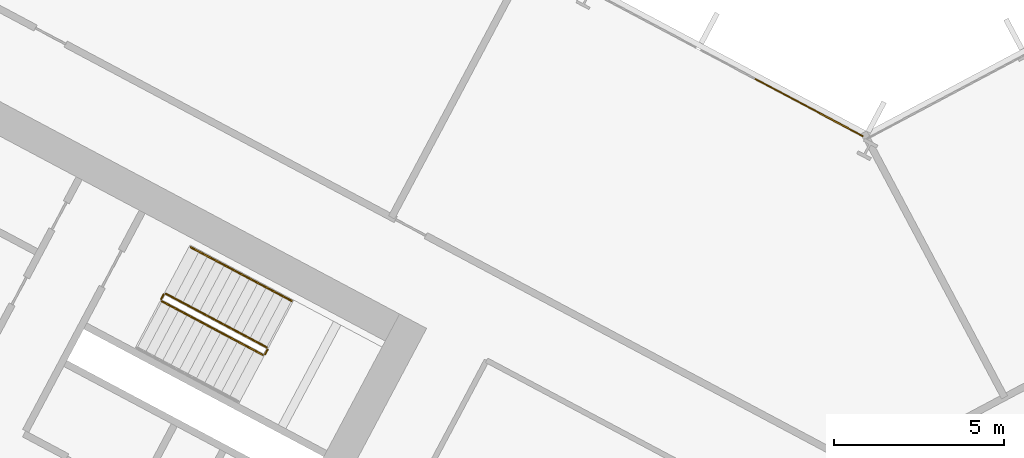
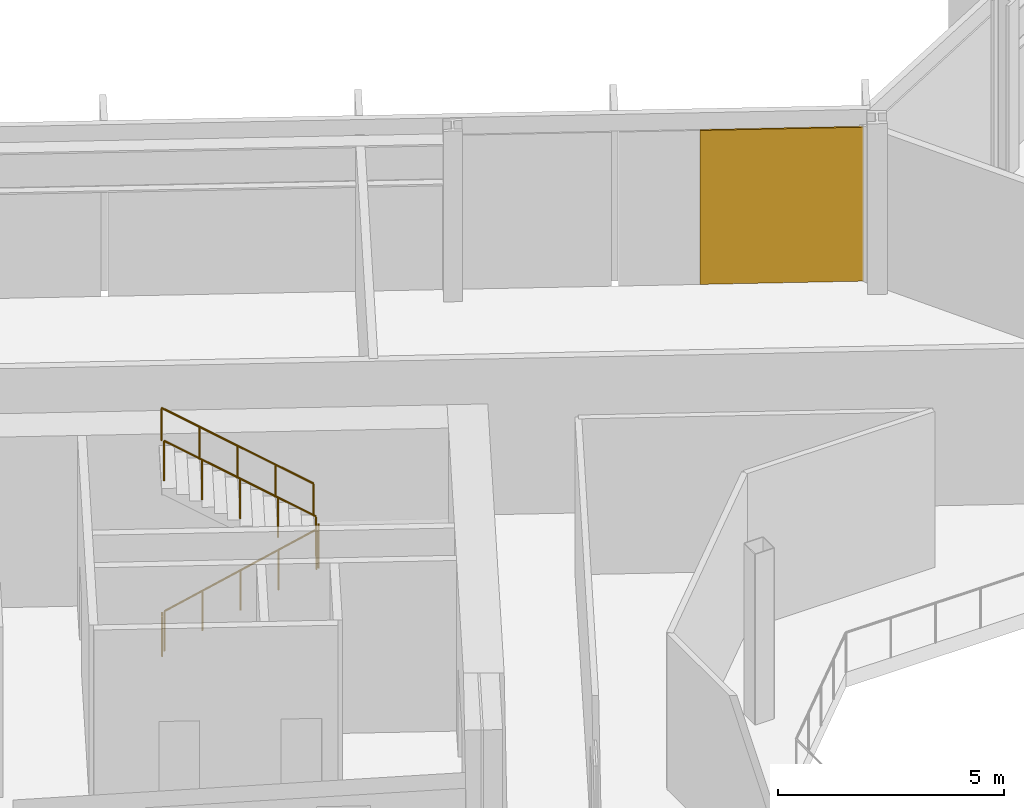
# One storey, part 26 of 32: 5 railings, 1 covering, 1 element without a shape of its own.
"""IFC4 building model written with IfcOpenShell, lengths in metres."""

import ifcopenshell
import ifcopenshell.guid

model = None  # the IFC model being written
_history = None  # IfcOwnerHistory: only IFC2X3 demands one
_inside = {}  # id of a spatial element -> (the spatial element, [elements in it])
_under = {}  # id of a project, library or spatial element -> (it, [spatial elements below it])
_declared = {}  # id of a project -> (the project, [libraries it declares])
_typed = {}  # id of a type object -> (the type object, [elements of that type])
_made_of = {}  # id of a material, layer set ... -> (it, [elements and type objects made of it])


def new_model(schema):
    """Start an empty IFC model of exactly this schema.

    Asked for "IFC4X3", IfcOpenShell would pick the latest addendum, in which some entities
    have other attributes; the version numbers below select the first issue.
    IFC2X3 requires an IfcOwnerHistory on every rooted entity: one is made here for all.
    """
    global model, _history
    if schema == "IFC4X3":
        model = ifcopenshell.file(schema_version=(4, 3, 0, 0))
    else:
        model = ifcopenshell.file(schema=schema)
    _inside.clear()
    _under.clear()
    _declared.clear()
    _typed.clear()
    _made_of.clear()
    _history = None
    if model.schema == "IFC2X3":
        org = make("IfcOrganization", Name="unknown")
        user = make(
            "IfcPersonAndOrganization",
            ThePerson=make("IfcPerson", FamilyName="unknown"),
            TheOrganization=org,
        )
        app = make(
            "IfcApplication",
            ApplicationDeveloper=org,
            Version="unknown",
            ApplicationFullName="unknown",
            ApplicationIdentifier="unknown",
        )
        _history = make(
            "IfcOwnerHistory",
            OwningUser=user,
            OwningApplication=app,
            ChangeAction="ADDED",
            CreationDate=0,
        )
    return model


def make(cls, **values):
    """One entity of the class cls with the attributes given. An attribute that is None is left unset."""
    return model.create_entity(
        cls, **{name: value for name, value in values.items() if value is not None}
    )


def rooted(cls, **values):
    """An entity with a GlobalId (a new one), such as an element, a storey or a relation."""
    return make(cls, GlobalId=ifcopenshell.guid.new(), OwnerHistory=_history, **values)


def si_unit(unit_type, name, prefix=None):
    """IfcSIUnit, for example si_unit("LENGTHUNIT", "METRE", prefix="MILLI")."""
    return make("IfcSIUnit", UnitType=unit_type, Prefix=prefix, Name=name)


def assignment(units):
    """IfcUnitAssignment: the units of a project."""
    return None if units is None else make("IfcUnitAssignment", Units=units)


def point(xyz):
    """IfcCartesianPoint."""
    return None if xyz is None else make("IfcCartesianPoint", Coordinates=xyz)


def direction(xyz):
    """IfcDirection."""
    return None if xyz is None else make("IfcDirection", DirectionRatios=xyz)


def frame(location, z_axis=None, x_axis=None):
    """IfcAxis2Placement3D, a coordinate frame: its origin and axes. An axis left out is left unset."""
    return make(
        "IfcAxis2Placement3D",
        Location=point(location),
        Axis=direction(z_axis),
        RefDirection=direction(x_axis),
    )


def frame_2d(location, x_axis=None):
    """IfcAxis2Placement2D, a coordinate frame in the plane: its origin and x axis."""
    return make(
        "IfcAxis2Placement2D", Location=point(location), RefDirection=direction(x_axis)
    )


def origin():
    """The frame at (0, 0, 0) with its axes left unset."""
    return frame((0.0, 0.0, 0.0))


def origin_2d():
    """The frame at (0, 0) in the plane with its x axis left unset."""
    return frame_2d((0.0, 0.0))


def place(relative_to, where):
    """IfcLocalPlacement: puts the frame where relative to a parent placement (None: the world)."""
    return make(
        "IfcLocalPlacement", PlacementRelTo=relative_to, RelativePlacement=where
    )


def context(
    kind, dimensions, precision=None, world=None, true_north=None, identifier=None
):
    """IfcGeometricRepresentationContext, for example the 3D "Model" context."""
    return make(
        "IfcGeometricRepresentationContext",
        ContextIdentifier=identifier,
        ContextType=kind,
        CoordinateSpaceDimension=dimensions,
        Precision=precision,
        WorldCoordinateSystem=world,
        TrueNorth=true_north,
    )


def subcontext(parent, identifier, kind, view, scale=None):
    """IfcGeometricRepresentationSubContext, for example "Body" below "Model"."""
    return make(
        "IfcGeometricRepresentationSubContext",
        ContextIdentifier=identifier,
        ContextType=kind,
        ParentContext=parent,
        TargetScale=scale,
        TargetView=view,
    )


def project(units=None, contexts=None):
    """IfcProject with its units and contexts."""
    return rooted(
        "IfcProject",
        Name="project",
        RepresentationContexts=contexts,
        UnitsInContext=assignment(units),
    )


def spatial(cls, under=None, at=None, **own):
    """A site, building, storey or space (cls), placed at a placement, below another one or the project."""
    s = rooted(cls, ObjectPlacement=at, **own)
    if under is not None:
        _under.setdefault(under.id(), (under, []))[1].append(s)
    return s


def polyline(points):
    """IfcPolyline through the points."""
    return make("IfcPolyline", Points=[point(p) for p in points])


def profile(cls, at=None, kind="AREA", **sizes):
    """A parametric profile (cls). Its sizes go by their IFC names, for example OverallWidth=200.0."""
    return make(cls, ProfileType=kind, Position=at, **sizes)


def rectangle(**sizes):
    """IfcRectangleProfileDef."""
    return profile("IfcRectangleProfileDef", **sizes)


def outline(outer, holes=None, kind="AREA"):
    """IfcArbitraryClosedProfileDef: a profile drawn as a closed curve; with holes, ...WithVoids."""
    if holes is None:
        return make("IfcArbitraryClosedProfileDef", ProfileType=kind, OuterCurve=outer)
    return make(
        "IfcArbitraryProfileDefWithVoids",
        ProfileType=kind,
        OuterCurve=outer,
        InnerCurves=holes,
    )


def extrude(swept, where, along, depth):
    """IfcExtrudedAreaSolid: the profile swept, set in the frame where, extruded along a direction by depth."""
    return make(
        "IfcExtrudedAreaSolid",
        SweptArea=swept,
        Position=where,
        ExtrudedDirection=direction(along),
        Depth=depth,
    )


def shape(context_of_items, identifier, shape_type, items):
    """IfcShapeRepresentation: the items that make up one representation, for example the "Body"."""
    return make(
        "IfcShapeRepresentation",
        ContextOfItems=context_of_items,
        RepresentationIdentifier=identifier,
        RepresentationType=shape_type,
        Items=items,
    )


def material(Name=None, Category=None):
    """IfcMaterial."""
    return make("IfcMaterial", Name=Name, Category=Category)


def layer(
    of_material, thickness, ventilated=None, Name=None, Category=None, Priority=None
):
    """IfcMaterialLayer: one layer of a wall or slab, of a material (None: an air gap)."""
    return make(
        "IfcMaterialLayer",
        Material=of_material,
        LayerThickness=thickness,
        IsVentilated=ventilated,
        Name=Name,
        Category=Category,
        Priority=Priority,
    )


def layer_set(layers, Name=None):
    """IfcMaterialLayerSet."""
    return make("IfcMaterialLayerSet", MaterialLayers=layers, LayerSetName=Name)


def made_of(thing, what):
    """Note that an element or type object is made of a material, layer set ...; save() writes the relation."""
    if what is not None:
        _made_of.setdefault(what.id(), (what, []))[1].append(thing)
    return thing


def type_object(cls, material=None, **own):
    """A type object (cls), such as IfcWallType, which elements share."""
    return made_of(rooted(cls, **own), material)


def element(
    cls,
    number,
    at=None,
    inside=None,
    cuts=None,
    type_object=None,
    material=None,
    context=None,
    identifier="Body",
    shape_type=None,
    held_by="IfcProductDefinitionShape",
    body=None,
    shapes=None,
    **own,
):
    """One element of the class cls, such as IfcWall. Its Tag is "e" and its number.

    at: its placement. inside: the storey or other place that contains it. cuts: it is an
    opening in that element (IfcRelVoidsElement). A single representation is given by context,
    identifier, shape_type and body (its items); several are given by shapes. held_by: the class
    of the entity that holds the representations. save() writes the other relations.
    """
    e = rooted(cls, Tag="e%d" % number, ObjectPlacement=at, **own)
    if body is not None:
        shapes = [shape(context, identifier, shape_type, body)]
    if shapes is not None:
        e.Representation = make(held_by, Representations=shapes)
    if inside is not None:
        _inside.setdefault(inside.id(), (inside, []))[1].append(e)
    if cuts is not None:
        rooted(
            "IfcRelVoidsElement", RelatingBuildingElement=cuts, RelatedOpeningElement=e
        )
    if type_object is not None:
        _typed.setdefault(type_object.id(), (type_object, []))[1].append(e)
    return made_of(e, material)


def aggregate(whole, parts):
    """IfcRelAggregates: a whole, such as a stair, and the parts it consists of."""
    return rooted("IfcRelAggregates", RelatingObject=whole, RelatedObjects=parts)


def save(model, path):
    """Write the relations noted so far, then the file.

    IfcRelAggregates (storeys below a building ...), IfcRelContainedInSpatialStructure (elements
    in a storey), IfcRelDefinesByType, IfcRelAssociatesMaterial and IfcRelDeclares: one each for
    every whole, place, type object, material and project.
    """
    for whole, parts in _under.values():
        aggregate(whole, parts)
    for where, things in _inside.values():
        rooted(
            "IfcRelContainedInSpatialStructure",
            RelatedElements=things,
            RelatingStructure=where,
        )
    for kind, things in _typed.values():
        rooted("IfcRelDefinesByType", RelatedObjects=things, RelatingType=kind)
    for what, things in _made_of.values():
        rooted("IfcRelAssociatesMaterial", RelatedObjects=things, RelatingMaterial=what)
    for by, libraries in _declared.values():
        rooted("IfcRelDeclares", RelatingContext=by, RelatedDefinitions=libraries)
    model.write(path)


model = new_model("IFC4")

# Units and contexts
model_context = context("Model", 3, precision=1e-05, world=origin(), true_north=direction((0.0, 1.0)))
body_context = subcontext(model_context, "Body", "Model", "MODEL_VIEW")
ifc_project = project(units=[si_unit("LENGTHUNIT", "METRE"), si_unit("AREAUNIT", "SQUARE_METRE"), si_unit("VOLUMEUNIT", "CUBIC_METRE"), si_unit("PLANEANGLEUNIT", "RADIAN"), si_unit("MASSUNIT", "GRAM", prefix="KILO")], contexts=[model_context])

# Site, building, storey
site_placement = place(None, origin())
site = spatial("IfcSite", under=ifc_project, at=site_placement, CompositionType="ELEMENT")
building_placement = place(site_placement, origin())
building = spatial("IfcBuilding", under=site, at=building_placement, Name="Cormorant Relay Tower", CompositionType="ELEMENT")
storey_placement = place(building_placement, frame((0.0, 0.0, 66.199951171875)))
storey = spatial("IfcBuildingStorey", under=building, at=storey_placement, Name="L12", CompositionType="ELEMENT", Elevation=66.199951171875)

# Curtain wall, covering
ifc_material_1 = material(Name="Aluminium 6063-T6 anodised bronze", Category="aluminium")
ifc_layer_1 = layer(ifc_material_1, 0.199951171875)
ifc_layer_set_1 = layer_set([ifc_layer_1], Name="CW1 unitised bronze curtain wall with vertical fins")
curtain_wall_type = type_object("IfcCurtainWallType", Name="CW1 unitised bronze curtain wall with vertical fins", PredefinedType="NOTDEFINED", material=ifc_layer_set_1)
curtain_wall_placement = place(storey_placement, origin())
curtain_wall = element("IfcCurtainWall", 1, at=curtain_wall_placement, inside=storey, type_object=curtain_wall_type, Name="CW1 curtain wall 7", PredefinedType="NOTDEFINED")
ifc_material_2 = material(Name="Pale bronze anodised aluminium insulated panel", Category="aluminium")
ifc_layer_2 = layer(ifc_material_2, 0.0400390625)
ifc_layer_set_2 = layer_set([ifc_layer_2], Name="CW1 pale bronze insulated panel 40")
covering_type = type_object("IfcCoveringType", Name="CW1 pale bronze insulated panel 40", PredefinedType="CLADDING", material=ifc_layer_set_2)
covering_placement = place(storey_placement, frame((-1.718505859375, 24.720458984375, 0.0), z_axis=(0.0, 0.0, 1.0), x_axis=(-0.882947592859, 0.469471562786, 0.0)))
covering = element("IfcCovering", 2, at=covering_placement, type_object=covering_type, Name="CW1 panel S00", PredefinedType="CLADDING", context=body_context, shape_type="SweptSolid", body=[
    extrude(rectangle(XDim=3.614013671875, YDim=0.0400390625, at=origin_2d()), origin(), (0.0, 0.0, 1.0), 4.14990234375),
])
aggregate(curtain_wall, [covering])

# Railings
ifc_material_3 = material(Name="Steel ASTM A572 Grade 50 (Fy 345 MPa)", Category="steel")
railing_type_1 = type_object("IfcRailingType", Name="Stair guard 1100", PredefinedType="GUARDRAIL", material=ifc_material_3)
railing_1_placement = place(storey_placement, frame((-20.75048828125, 19.017822265625, 0.177001953125)))
element("IfcRailing", 3, at=railing_1_placement, inside=storey, type_object=railing_type_1, Name="L12 A1 stair guard 1", PredefinedType="GUARDRAIL", context=body_context, shape_type="SweptSolid", body=[
    extrude(outline(polyline([(0.022216796875, 0.00927734375), (0.00927734375, 0.022216796875), (-0.00927734375, 0.022216796875), (-0.022216796875, 0.00927734375), (-0.022216796875, -0.00927734375), (-0.00927734375, -0.022216796875), (0.00927734375, -0.022216796875), (0.022216796875, -0.00927734375), (0.022216796875, 0.00927734375)])), frame((0.0, 0.0, 1.076171875), z_axis=(0.746413465702, -0.396887285154, 0.534179203172), x_axis=(0.469482818608, 0.88294160794, 0.0)), (0.0, 0.0, 1.0), 3.974365234375),
    extrude(outline(polyline([(0.019287109375, 0.008056640625), (0.008056640625, 0.019287109375), (-0.008056640625, 0.019287109375), (-0.019287109375, 0.008056640625), (-0.019287109375, -0.008056640625), (-0.008056640625, -0.019287109375), (0.008056640625, -0.019287109375), (0.019287109375, -0.008056640625), (0.019287109375, 0.008056640625)])), origin(), (0.0, 0.0, 1.0), 1.052001953125),
    extrude(outline(polyline([(0.019287109375, 0.008056640625), (0.008056640625, 0.019287109375), (-0.008056640625, 0.019287109375), (-0.019287109375, 0.008056640625), (-0.019287109375, -0.008056640625), (-0.008056640625, -0.019287109375), (0.008056640625, -0.019287109375), (0.019287109375, -0.008056640625), (0.019287109375, 0.008056640625)])), frame((0.74169921875, -0.394287109375, 0.53076171875)), (0.0, 0.0, 1.0), 1.052001953125),
    extrude(outline(polyline([(0.019287109375, 0.008056640625), (0.008056640625, 0.019287109375), (-0.008056640625, 0.019287109375), (-0.019287109375, 0.008056640625), (-0.019287109375, -0.008056640625), (-0.008056640625, -0.019287109375), (0.008056640625, -0.019287109375), (0.019287109375, -0.008056640625), (0.019287109375, 0.008056640625)])), frame((1.4833984375, -0.78857421875, 1.0615234375)), (0.0, 0.0, 1.0), 1.052001953125),
    extrude(outline(polyline([(0.019287109375, 0.008056640625), (0.008056640625, 0.019287109375), (-0.008056640625, 0.019287109375), (-0.019287109375, 0.008056640625), (-0.019287109375, -0.008056640625), (-0.008056640625, -0.019287109375), (0.008056640625, -0.019287109375), (0.019287109375, -0.008056640625), (0.019287109375, 0.008056640625)])), frame((2.224853515625, -1.18310546875, 1.59228515625)), (0.0, 0.0, 1.0), 1.052001953125),
    extrude(outline(polyline([(0.019287109375, 0.008056640625), (0.008056640625, 0.019287109375), (-0.008056640625, 0.019287109375), (-0.019287109375, 0.008056640625), (-0.019287109375, -0.008056640625), (-0.008056640625, -0.019287109375), (0.008056640625, -0.019287109375), (0.019287109375, -0.008056640625), (0.019287109375, 0.008056640625)])), frame((2.966552734375, -1.577392578125, 2.123046875)), (0.0, 0.0, 1.0), 1.052001953125),
])
railing_2_placement = place(storey_placement, frame((-17.71630859375, 17.461181640625, 2.300048828125)))
element("IfcRailing", 4, at=railing_2_placement, inside=storey, type_object=railing_type_1, Name="L12 A1 stair guard 2", PredefinedType="GUARDRAIL", context=body_context, shape_type="SweptSolid", body=[
    extrude(outline(polyline([(0.022216796875, 0.00927734375), (0.00927734375, 0.022216796875), (-0.00927734375, 0.022216796875), (-0.022216796875, 0.00927734375), (-0.022216796875, -0.00927734375), (-0.00927734375, -0.022216796875), (0.00927734375, -0.022216796875), (0.022216796875, -0.00927734375), (0.022216796875, 0.00927734375)])), frame((0.0, 0.0, 1.076171875), z_axis=(0.470503732759, 0.882398003998, 0.0), x_axis=(-0.882398003998, 0.470503732759, 0.0)), (0.0, 0.0, 1.0), 0.14990234375),
    extrude(outline(polyline([(0.019287109375, 0.008056640625), (0.008056640625, 0.019287109375), (-0.008056640625, 0.019287109375), (-0.019287109375, 0.008056640625), (-0.019287109375, -0.008056640625), (-0.008056640625, -0.019287109375), (0.008056640625, -0.019287109375), (0.019287109375, -0.008056640625), (0.019287109375, 0.008056640625)])), origin(), (0.0, 0.0, 1.0), 1.052001953125),
    extrude(outline(polyline([(0.019287109375, 0.008056640625), (0.008056640625, 0.019287109375), (-0.008056640625, 0.019287109375), (-0.019287109375, 0.008056640625), (-0.019287109375, -0.008056640625), (-0.008056640625, -0.019287109375), (0.008056640625, -0.019287109375), (0.019287109375, -0.008056640625), (0.019287109375, 0.008056640625)])), frame((0.070556640625, 0.13232421875, 0.0)), (0.0, 0.0, 1.0), 1.052001953125),
])
railing_3_placement = place(storey_placement, frame((-17.66650390625, 17.6611328125, 2.47705078125)))
element("IfcRailing", 5, at=railing_3_placement, inside=storey, type_object=railing_type_1, Name="L12 A1 stair guard 3", PredefinedType="GUARDRAIL", context=body_context, shape_type="SweptSolid", body=[
    extrude(outline(polyline([(0.022216796875, 0.00927734375), (0.00927734375, 0.022216796875), (-0.00927734375, 0.022216796875), (-0.022216796875, 0.00927734375), (-0.022216796875, -0.00927734375), (-0.00927734375, -0.022216796875), (0.00927734375, -0.022216796875), (0.022216796875, -0.00927734375), (0.022216796875, 0.00927734375)])), frame((0.0, 0.0, 1.076171875), z_axis=(-0.746440668329, 0.396869088057, 0.534154711306), x_axis=(-0.46945269911, -0.882957622595, 0.0)), (0.0, 0.0, 1.0), 3.974609375),
    extrude(outline(polyline([(0.019287109375, 0.008056640625), (0.008056640625, 0.019287109375), (-0.008056640625, 0.019287109375), (-0.019287109375, 0.008056640625), (-0.019287109375, -0.008056640625), (-0.008056640625, -0.019287109375), (0.008056640625, -0.019287109375), (0.019287109375, -0.008056640625), (0.019287109375, 0.008056640625)])), origin(), (0.0, 0.0, 1.0), 1.052001953125),
    extrude(outline(polyline([(0.019287109375, 0.008056640625), (0.008056640625, 0.019287109375), (-0.008056640625, 0.019287109375), (-0.019287109375, 0.008056640625), (-0.019287109375, -0.008056640625), (-0.008056640625, -0.019287109375), (0.008056640625, -0.019287109375), (0.019287109375, -0.008056640625), (0.019287109375, 0.008056640625)])), frame((-0.74169921875, 0.394287109375, 0.53076171875)), (0.0, 0.0, 1.0), 1.052001953125),
    extrude(outline(polyline([(0.019287109375, 0.008056640625), (0.008056640625, 0.019287109375), (-0.008056640625, 0.019287109375), (-0.019287109375, 0.008056640625), (-0.019287109375, -0.008056640625), (-0.008056640625, -0.019287109375), (0.008056640625, -0.019287109375), (0.019287109375, -0.008056640625), (0.019287109375, 0.008056640625)])), frame((-1.4833984375, 0.78857421875, 1.0615234375)), (0.0, 0.0, 1.0), 1.052001953125),
    extrude(outline(polyline([(0.019287109375, 0.008056640625), (0.008056640625, 0.019287109375), (-0.008056640625, 0.019287109375), (-0.019287109375, 0.008056640625), (-0.019287109375, -0.008056640625), (-0.008056640625, -0.019287109375), (0.008056640625, -0.019287109375), (0.019287109375, -0.008056640625), (0.019287109375, 0.008056640625)])), frame((-2.22509765625, 1.18310546875, 1.59228515625)), (0.0, 0.0, 1.0), 1.052001953125),
    extrude(outline(polyline([(0.019287109375, 0.008056640625), (0.008056640625, 0.019287109375), (-0.008056640625, 0.019287109375), (-0.019287109375, 0.008056640625), (-0.019287109375, -0.008056640625), (-0.008056640625, -0.019287109375), (0.008056640625, -0.019287109375), (0.019287109375, -0.008056640625), (0.019287109375, 0.008056640625)])), frame((-2.966796875, 1.577392578125, 2.123046875)), (0.0, 0.0, 1.0), 1.052001953125),
])
railing_4_placement = place(storey_placement, frame((-20.771240234375, 19.08544921875, 0.0)))
element("IfcRailing", 6, at=railing_4_placement, inside=storey, type_object=railing_type_1, Name="L12 A1 stair guard 4", PredefinedType="GUARDRAIL", context=body_context, shape_type="SweptSolid", body=[
    extrude(outline(polyline([(0.022216796875, 0.00927734375), (0.00927734375, 0.022216796875), (-0.00927734375, 0.022216796875), (-0.022216796875, 0.00927734375), (-0.022216796875, -0.00927734375), (-0.00927734375, -0.022216796875), (0.00927734375, -0.022216796875), (0.022216796875, -0.00927734375), (0.022216796875, 0.00927734375)])), frame((0.0, 0.0, 1.076171875), z_axis=(0.469828648786, 0.882757634224, 0.0), x_axis=(-0.882757634224, 0.469828648786, 0.0)), (0.0, 0.0, 1.0), 0.150146484375),
    extrude(outline(polyline([(0.019287109375, 0.008056640625), (0.008056640625, 0.019287109375), (-0.008056640625, 0.019287109375), (-0.019287109375, 0.008056640625), (-0.019287109375, -0.008056640625), (-0.008056640625, -0.019287109375), (0.008056640625, -0.019287109375), (0.019287109375, -0.008056640625), (0.019287109375, 0.008056640625)])), origin(), (0.0, 0.0, 1.0), 1.052001953125),
    extrude(outline(polyline([(0.019287109375, 0.008056640625), (0.008056640625, 0.019287109375), (-0.008056640625, 0.019287109375), (-0.019287109375, 0.008056640625), (-0.019287109375, -0.008056640625), (-0.008056640625, -0.019287109375), (0.008056640625, -0.019287109375), (0.019287109375, -0.008056640625), (0.019287109375, 0.008056640625)])), frame((0.070556640625, 0.132568359375, 0.0)), (0.0, 0.0, 1.0), 1.052001953125),
])
ifc_material_4 = material(Name="Steel ASTM A572 Grade 50 (Fy 345 MPa)", Category="steel")
railing_type_2 = type_object("IfcRailingType", Name="Stair handrail 900", PredefinedType="HANDRAIL", material=ifc_material_4)
railing_5_placement = place(storey_placement, frame((-16.938720703125, 19.02978515625, 2.47705078125)))
element("IfcRailing", 7, at=railing_5_placement, inside=storey, type_object=railing_type_2, Name="L12 A1 stair handrail 2", PredefinedType="HANDRAIL", context=body_context, shape_type="SweptSolid", body=[
    extrude(outline(polyline([(0.022216796875, 0.00927734375), (0.00927734375, 0.022216796875), (-0.00927734375, 0.022216796875), (-0.022216796875, 0.00927734375), (-0.022216796875, -0.00927734375), (-0.00927734375, -0.022216796875), (0.00927734375, -0.022216796875), (0.022216796875, -0.00927734375), (0.022216796875, 0.00927734375)])), frame((0.0, 0.0, 0.8759765625), z_axis=(-0.746440668329, 0.396869088057, 0.534154711306), x_axis=(-0.46945269911, -0.882957622595, 0.0)), (0.0, 0.0, 1.0), 3.974609375),
    extrude(outline(polyline([(0.019287109375, 0.008056640625), (0.008056640625, 0.019287109375), (-0.008056640625, 0.019287109375), (-0.019287109375, 0.008056640625), (-0.019287109375, -0.008056640625), (-0.008056640625, -0.019287109375), (0.008056640625, -0.019287109375), (0.019287109375, -0.008056640625), (0.019287109375, 0.008056640625)])), origin(), (0.0, 0.0, 1.0), 0.851806640625),
    extrude(outline(polyline([(0.019287109375, 0.008056640625), (0.008056640625, 0.019287109375), (-0.008056640625, 0.019287109375), (-0.019287109375, 0.008056640625), (-0.019287109375, -0.008056640625), (-0.008056640625, -0.019287109375), (0.008056640625, -0.019287109375), (0.019287109375, -0.008056640625), (0.019287109375, 0.008056640625)])), frame((-0.74169921875, 0.394287109375, 0.53076171875)), (0.0, 0.0, 1.0), 0.851806640625),
    extrude(outline(polyline([(0.019287109375, 0.008056640625), (0.008056640625, 0.019287109375), (-0.008056640625, 0.019287109375), (-0.019287109375, 0.008056640625), (-0.019287109375, -0.008056640625), (-0.008056640625, -0.019287109375), (0.008056640625, -0.019287109375), (0.019287109375, -0.008056640625), (0.019287109375, 0.008056640625)])), frame((-1.4833984375, 0.78857421875, 1.0615234375)), (0.0, 0.0, 1.0), 0.851806640625),
    extrude(outline(polyline([(0.019287109375, 0.008056640625), (0.008056640625, 0.019287109375), (-0.008056640625, 0.019287109375), (-0.019287109375, 0.008056640625), (-0.019287109375, -0.008056640625), (-0.008056640625, -0.019287109375), (0.008056640625, -0.019287109375), (0.019287109375, -0.008056640625), (0.019287109375, 0.008056640625)])), frame((-2.22509765625, 1.18310546875, 1.59228515625)), (0.0, 0.0, 1.0), 0.851806640625),
    extrude(outline(polyline([(0.019287109375, 0.008056640625), (0.008056640625, 0.019287109375), (-0.008056640625, 0.019287109375), (-0.019287109375, 0.008056640625), (-0.019287109375, -0.008056640625), (-0.008056640625, -0.019287109375), (0.008056640625, -0.019287109375), (0.019287109375, -0.008056640625), (0.019287109375, 0.008056640625)])), frame((-2.966796875, 1.577392578125, 2.123046875)), (0.0, 0.0, 1.0), 0.851806640625),
])

save(model, "model.ifc")
